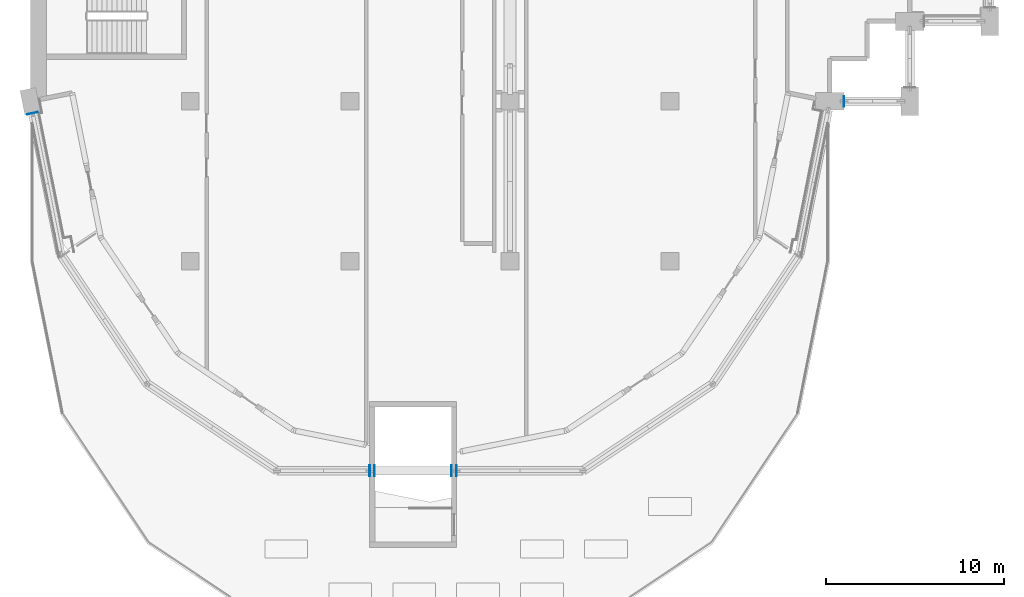
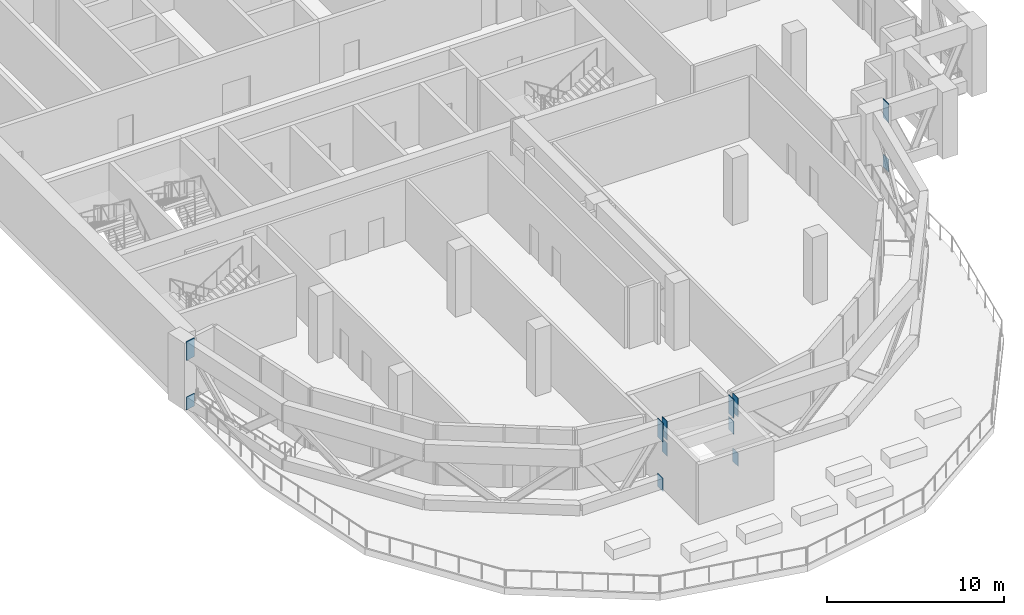
# One storey, part 13 of 18: 12 discrete accessories.
"""IFC4 building model written with IfcOpenShell, lengths in metres."""

import ifcopenshell
import ifcopenshell.guid

model = None  # the IFC model being written
_history = None  # IfcOwnerHistory: only IFC2X3 demands one
_inside = {}  # id of a spatial element -> (the spatial element, [elements in it])
_under = {}  # id of a project, library or spatial element -> (it, [spatial elements below it])
_declared = {}  # id of a project -> (the project, [libraries it declares])
_typed = {}  # id of a type object -> (the type object, [elements of that type])
_made_of = {}  # id of a material, layer set ... -> (it, [elements and type objects made of it])


def new_model(schema):
    """Start an empty IFC model of exactly this schema.

    Asked for "IFC4X3", IfcOpenShell would pick the latest addendum, in which some entities
    have other attributes; the version numbers below select the first issue.
    IFC2X3 requires an IfcOwnerHistory on every rooted entity: one is made here for all.
    """
    global model, _history
    if schema == "IFC4X3":
        model = ifcopenshell.file(schema_version=(4, 3, 0, 0))
    else:
        model = ifcopenshell.file(schema=schema)
    _inside.clear()
    _under.clear()
    _declared.clear()
    _typed.clear()
    _made_of.clear()
    _history = None
    if model.schema == "IFC2X3":
        org = make("IfcOrganization", Name="unknown")
        user = make(
            "IfcPersonAndOrganization",
            ThePerson=make("IfcPerson", FamilyName="unknown"),
            TheOrganization=org,
        )
        app = make(
            "IfcApplication",
            ApplicationDeveloper=org,
            Version="unknown",
            ApplicationFullName="unknown",
            ApplicationIdentifier="unknown",
        )
        _history = make(
            "IfcOwnerHistory",
            OwningUser=user,
            OwningApplication=app,
            ChangeAction="ADDED",
            CreationDate=0,
        )
    return model


def make(cls, **values):
    """One entity of the class cls with the attributes given. An attribute that is None is left unset."""
    return model.create_entity(
        cls, **{name: value for name, value in values.items() if value is not None}
    )


def rooted(cls, **values):
    """An entity with a GlobalId (a new one), such as an element, a storey or a relation."""
    return make(cls, GlobalId=ifcopenshell.guid.new(), OwnerHistory=_history, **values)


def si_unit(unit_type, name, prefix=None):
    """IfcSIUnit, for example si_unit("LENGTHUNIT", "METRE", prefix="MILLI")."""
    return make("IfcSIUnit", UnitType=unit_type, Prefix=prefix, Name=name)


def assignment(units):
    """IfcUnitAssignment: the units of a project."""
    return None if units is None else make("IfcUnitAssignment", Units=units)


def point(xyz):
    """IfcCartesianPoint."""
    return None if xyz is None else make("IfcCartesianPoint", Coordinates=xyz)


def direction(xyz):
    """IfcDirection."""
    return None if xyz is None else make("IfcDirection", DirectionRatios=xyz)


def frame(location, z_axis=None, x_axis=None):
    """IfcAxis2Placement3D, a coordinate frame: its origin and axes. An axis left out is left unset."""
    return make(
        "IfcAxis2Placement3D",
        Location=point(location),
        Axis=direction(z_axis),
        RefDirection=direction(x_axis),
    )


def frame_2d(location, x_axis=None):
    """IfcAxis2Placement2D, a coordinate frame in the plane: its origin and x axis."""
    return make(
        "IfcAxis2Placement2D", Location=point(location), RefDirection=direction(x_axis)
    )


def origin():
    """The frame at (0, 0, 0) with its axes left unset."""
    return frame((0.0, 0.0, 0.0))


def origin_2d():
    """The frame at (0, 0) in the plane with its x axis left unset."""
    return frame_2d((0.0, 0.0))


def place(relative_to, where):
    """IfcLocalPlacement: puts the frame where relative to a parent placement (None: the world)."""
    return make(
        "IfcLocalPlacement", PlacementRelTo=relative_to, RelativePlacement=where
    )


def context(
    kind, dimensions, precision=None, world=None, true_north=None, identifier=None
):
    """IfcGeometricRepresentationContext, for example the 3D "Model" context."""
    return make(
        "IfcGeometricRepresentationContext",
        ContextIdentifier=identifier,
        ContextType=kind,
        CoordinateSpaceDimension=dimensions,
        Precision=precision,
        WorldCoordinateSystem=world,
        TrueNorth=true_north,
    )


def subcontext(parent, identifier, kind, view, scale=None):
    """IfcGeometricRepresentationSubContext, for example "Body" below "Model"."""
    return make(
        "IfcGeometricRepresentationSubContext",
        ContextIdentifier=identifier,
        ContextType=kind,
        ParentContext=parent,
        TargetScale=scale,
        TargetView=view,
    )


def project(units=None, contexts=None):
    """IfcProject with its units and contexts."""
    return rooted(
        "IfcProject",
        Name="project",
        RepresentationContexts=contexts,
        UnitsInContext=assignment(units),
    )


def spatial(cls, under=None, at=None, **own):
    """A site, building, storey or space (cls), placed at a placement, below another one or the project."""
    s = rooted(cls, ObjectPlacement=at, **own)
    if under is not None:
        _under.setdefault(under.id(), (under, []))[1].append(s)
    return s


def profile(cls, at=None, kind="AREA", **sizes):
    """A parametric profile (cls). Its sizes go by their IFC names, for example OverallWidth=200.0."""
    return make(cls, ProfileType=kind, Position=at, **sizes)


def rectangle(**sizes):
    """IfcRectangleProfileDef."""
    return profile("IfcRectangleProfileDef", **sizes)


def extrude(swept, where, along, depth):
    """IfcExtrudedAreaSolid: the profile swept, set in the frame where, extruded along a direction by depth."""
    return make(
        "IfcExtrudedAreaSolid",
        SweptArea=swept,
        Position=where,
        ExtrudedDirection=direction(along),
        Depth=depth,
    )


def shape(context_of_items, identifier, shape_type, items):
    """IfcShapeRepresentation: the items that make up one representation, for example the "Body"."""
    return make(
        "IfcShapeRepresentation",
        ContextOfItems=context_of_items,
        RepresentationIdentifier=identifier,
        RepresentationType=shape_type,
        Items=items,
    )


def material(Name=None, Category=None):
    """IfcMaterial."""
    return make("IfcMaterial", Name=Name, Category=Category)


def layer(
    of_material, thickness, ventilated=None, Name=None, Category=None, Priority=None
):
    """IfcMaterialLayer: one layer of a wall or slab, of a material (None: an air gap)."""
    return make(
        "IfcMaterialLayer",
        Material=of_material,
        LayerThickness=thickness,
        IsVentilated=ventilated,
        Name=Name,
        Category=Category,
        Priority=Priority,
    )


def layer_set(layers, Name=None):
    """IfcMaterialLayerSet."""
    return make("IfcMaterialLayerSet", MaterialLayers=layers, LayerSetName=Name)


def made_of(thing, what):
    """Note that an element or type object is made of a material, layer set ...; save() writes the relation."""
    if what is not None:
        _made_of.setdefault(what.id(), (what, []))[1].append(thing)
    return thing


def type_object(cls, material=None, **own):
    """A type object (cls), such as IfcWallType, which elements share."""
    return made_of(rooted(cls, **own), material)


def element(
    cls,
    number,
    at=None,
    inside=None,
    cuts=None,
    type_object=None,
    material=None,
    context=None,
    identifier="Body",
    shape_type=None,
    held_by="IfcProductDefinitionShape",
    body=None,
    shapes=None,
    **own,
):
    """One element of the class cls, such as IfcWall. Its Tag is "e" and its number.

    at: its placement. inside: the storey or other place that contains it. cuts: it is an
    opening in that element (IfcRelVoidsElement). A single representation is given by context,
    identifier, shape_type and body (its items); several are given by shapes. held_by: the class
    of the entity that holds the representations. save() writes the other relations.
    """
    e = rooted(cls, Tag="e%d" % number, ObjectPlacement=at, **own)
    if body is not None:
        shapes = [shape(context, identifier, shape_type, body)]
    if shapes is not None:
        e.Representation = make(held_by, Representations=shapes)
    if inside is not None:
        _inside.setdefault(inside.id(), (inside, []))[1].append(e)
    if cuts is not None:
        rooted(
            "IfcRelVoidsElement", RelatingBuildingElement=cuts, RelatedOpeningElement=e
        )
    if type_object is not None:
        _typed.setdefault(type_object.id(), (type_object, []))[1].append(e)
    return made_of(e, material)


def aggregate(whole, parts):
    """IfcRelAggregates: a whole, such as a stair, and the parts it consists of."""
    return rooted("IfcRelAggregates", RelatingObject=whole, RelatedObjects=parts)


def save(model, path):
    """Write the relations noted so far, then the file.

    IfcRelAggregates (storeys below a building ...), IfcRelContainedInSpatialStructure (elements
    in a storey), IfcRelDefinesByType, IfcRelAssociatesMaterial and IfcRelDeclares: one each for
    every whole, place, type object, material and project.
    """
    for whole, parts in _under.values():
        aggregate(whole, parts)
    for where, things in _inside.values():
        rooted(
            "IfcRelContainedInSpatialStructure",
            RelatedElements=things,
            RelatingStructure=where,
        )
    for kind, things in _typed.values():
        rooted("IfcRelDefinesByType", RelatedObjects=things, RelatingType=kind)
    for what, things in _made_of.values():
        rooted("IfcRelAssociatesMaterial", RelatedObjects=things, RelatingMaterial=what)
    for by, libraries in _declared.values():
        rooted("IfcRelDeclares", RelatingContext=by, RelatedDefinitions=libraries)
    model.write(path)


model = new_model("IFC4")

# Units and contexts
model_context = context("Model", 3, precision=1e-05, world=origin(), true_north=direction((0.0, 1.0)))
body_context = subcontext(model_context, "Body", "Model", "MODEL_VIEW")
ifc_project = project(units=[si_unit("LENGTHUNIT", "METRE"), si_unit("AREAUNIT", "SQUARE_METRE"), si_unit("VOLUMEUNIT", "CUBIC_METRE"), si_unit("PLANEANGLEUNIT", "RADIAN"), si_unit("MASSUNIT", "GRAM", prefix="KILO")], contexts=[model_context])

# Site, building, storey
site_placement = place(None, origin())
site = spatial("IfcSite", under=ifc_project, at=site_placement, CompositionType="ELEMENT")
building_placement = place(site_placement, origin())
building = spatial("IfcBuilding", under=site, at=building_placement, Name="Hunhe Ridgeline Campus", CompositionType="ELEMENT")
storey_placement = place(building_placement, frame((0.0, 0.0, 276.199951171875)))
storey = spatial("IfcBuildingStorey", under=building, at=storey_placement, Name="L71", CompositionType="ELEMENT", Elevation=276.199951171875)

# Discrete accessories
ifc_material = material(Name="Steel Q420", Category="steel")
ifc_layer_1 = layer(ifc_material, 0.030029296875)
ifc_layer_set_1 = layer_set([ifc_layer_1], Name="Gusset plate 600x1300x30 Steel Q420")
discrete_accessory_type_1 = type_object("IfcDiscreteAccessoryType", Name="Gusset plate 600x1300x30 Steel Q420", PredefinedType="BRACKET", material=ifc_layer_set_1)
for number, where, z_axis, x_axis, name in (
    (1, (0.133544921875, 53.328125, 3.35009765625), (0.0, 0.0, 1.0), (-0.195090322016, 0.980785280403, 0.0), "Gusset plate BT1 L71 1"),
    (2, (19.10498046875, 33.212646484375, 3.35009765625), (0.0, 0.0, 1.0), (1.0, 0.0, 0.0), "Gusset plate BT1 L71 3"),
    (3, (19.385009765625, 33.212646484375, 3.35009765625), (0.0, 0.0, 1.0), (-1.0, 0.0, 0.0), "Gusset plate BT1 L71 5"),
    (4, (23.715087890625, 33.212646484375, 3.35009765625), (0.0, 0.0, 1.0), (1.0, 0.0, 0.0), "Gusset plate BT1 L71 7"),
    (5, (23.9951171875, 33.212646484375, 3.35009765625), (0.0, 0.0, 1.0), (-1.0, 0.0, 0.0), "Gusset plate BT1 L71 9"),
    (6, (45.784912109375, 54.0, 3.35009765625), (0.0, 0.0, 1.0), (-1.0, 0.0, 0.0), "Gusset plate BT1 L71 11"),
):
    element("IfcDiscreteAccessory", number, at=place(storey_placement, frame(where, z_axis=z_axis, x_axis=x_axis)), inside=storey, type_object=discrete_accessory_type_1, Name=name, PredefinedType="BRACKET", context=body_context, shape_type="SweptSolid", body=[
        extrude(rectangle(XDim=0.030029296875, YDim=0.60009765625, at=origin_2d()), origin(), (0.0, 0.0, 1.0), 1.300048828125),
    ])
ifc_layer_2 = layer(ifc_material, 0.030029296875)
ifc_layer_set_2 = layer_set([ifc_layer_2], Name="Gusset plate 600x900x30 Steel Q420")
discrete_accessory_type_2 = type_object("IfcDiscreteAccessoryType", Name="Gusset plate 600x900x30 Steel Q420", PredefinedType="BRACKET", material=ifc_layer_set_2)
for number, where, z_axis, x_axis, name in (
    (7, (0.133544921875, 53.328125, -0.0498046875), (0.0, 0.0, 1.0), (-0.195090322016, 0.980785280403, 0.0), "Gusset plate BT1 L71 2"),
    (8, (19.10498046875, 33.212646484375, -0.0498046875), (0.0, 0.0, 1.0), (1.0, 0.0, 0.0), "Gusset plate BT1 L71 4"),
    (9, (19.385009765625, 33.212646484375, 2.25), (0.0, 0.0, 1.0), (-1.0, 0.0, 0.0), "Gusset plate BT1 L71 6"),
    (10, (23.715087890625, 33.212646484375, 2.25), (0.0, 0.0, 1.0), (1.0, 0.0, 0.0), "Gusset plate BT1 L71 8"),
    (11, (23.9951171875, 33.212646484375, -0.0498046875), (0.0, 0.0, 1.0), (-1.0, 0.0, 0.0), "Gusset plate BT1 L71 10"),
    (12, (45.784912109375, 54.0, -0.0498046875), (0.0, 0.0, 1.0), (-1.0, 0.0, 0.0), "Gusset plate BT1 L71 12"),
):
    element("IfcDiscreteAccessory", number, at=place(storey_placement, frame(where, z_axis=z_axis, x_axis=x_axis)), inside=storey, type_object=discrete_accessory_type_2, Name=name, PredefinedType="BRACKET", context=body_context, shape_type="SweptSolid", body=[
        extrude(rectangle(XDim=0.030029296875, YDim=0.60009765625, at=origin_2d()), origin(), (0.0, 0.0, 1.0), 0.89990234375),
    ])

save(model, "model.ifc")
